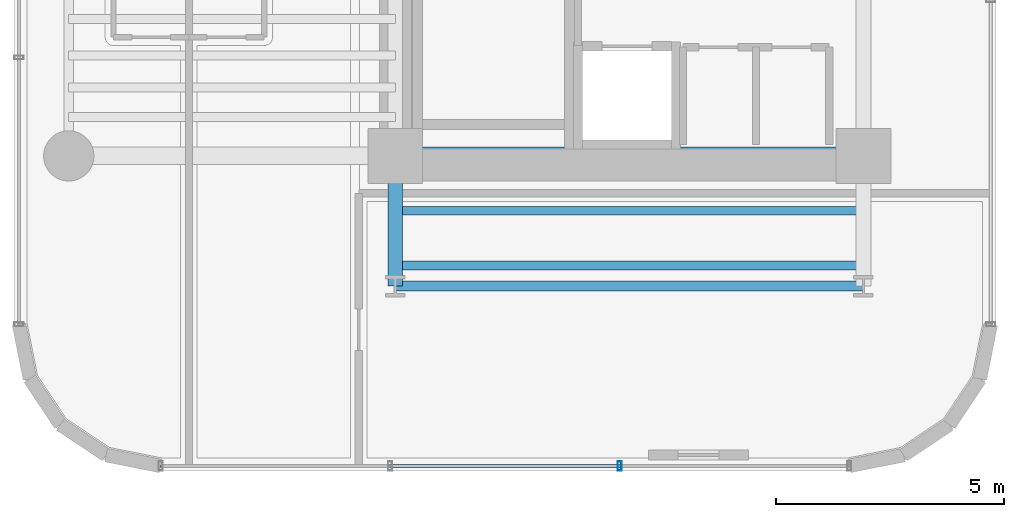
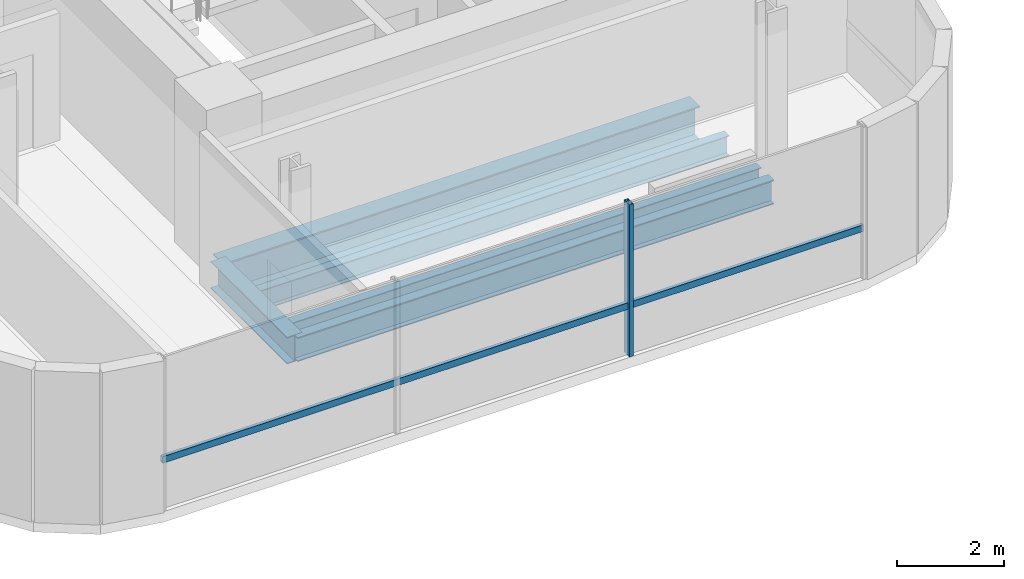
# One storey, part 3 of 35: 5 beams, 2 members, 1 element without a shape of its own.
"""IFC4 building model written with IfcOpenShell, lengths in metres."""

from ifc_helpers import new_model, si_unit, direction, frame, origin, origin_2d, place, context, subcontext, project, spatial, hollow_rectangle, i_section, extrude, source, transform, mapped, material, material_profile, profile_set, type_object, element, aggregate, save


model = new_model("IFC4")

# Units and contexts
model_context = context("Model", 3, precision=1e-05, world=origin(), true_north=direction((0.0, 1.0)))
body_context = subcontext(model_context, "Body", "Model", "MODEL_VIEW")
ifc_project = project(units=[si_unit("LENGTHUNIT", "METRE"), si_unit("AREAUNIT", "SQUARE_METRE"), si_unit("VOLUMEUNIT", "CUBIC_METRE"), si_unit("PLANEANGLEUNIT", "RADIAN"), si_unit("MASSUNIT", "GRAM", prefix="KILO")], contexts=[model_context])

# Site, building, storey
site_placement = place(None, origin())
site = spatial("IfcSite", under=ifc_project, at=site_placement, CompositionType="ELEMENT")
building_placement = place(site_placement, origin())
building = spatial("IfcBuilding", under=site, at=building_placement, Name="Valdorenza Pilgrim Sanctuary Tower", CompositionType="ELEMENT")
storey_placement = place(building_placement, frame((0.0, 0.0, 139.0)))
storey = spatial("IfcBuildingStorey", under=building, at=storey_placement, Name="L35", CompositionType="ELEMENT", Elevation=139.0)

# Beams
ifc_material_1 = material(Name="Steel ASTM A992 Grade 50", Category="steel")
ifc_material_profile_1 = material_profile(ifc_material_1, i_section(OverallWidth=0.214111328125, OverallDepth=0.549072265625, WebThickness=0.0146484375, FlangeThickness=0.023681640625, at=origin_2d()), Name="W21X93")
ifc_profile_set_1 = profile_set([ifc_material_profile_1], Name="Steel ASTM A992 Grade 50")
beam_type_1 = type_object("IfcBeamType", Name="STR-BM-SPN-W21A", PredefinedType="SPANDREL", material=ifc_profile_set_1)
shared_shape_1 = source(origin(), body_context, "Body", "SweptSolid", [
    extrude(i_section(OverallWidth=0.214111328125, OverallDepth=0.549072265625, WebThickness=0.0146484375, FlangeThickness=0.023681640625, at=origin_2d()), origin(), (0.0, 0.0, 1.0), 10.25),
])
beam_1_placement = place(storey_placement, frame((-22.64990234375, -13.449951171875, -0.514404296875), z_axis=(1.0, 0.0, 0.0), x_axis=(0.0, 1.0, 0.0)))
element("IfcBeam", 1, at=beam_1_placement, inside=storey, type_object=beam_type_1, Name="L35 South Spandrel WA-S-TIE", PredefinedType="SPANDREL", context=body_context, shape_type="MappedRepresentation", body=[
    mapped(shared_shape_1, transform((0.0, 0.0, 0.0), x_axis=(1.0, 0.0, 0.0), y_axis=(0.0, 1.0, 0.0), z_axis=(0.0, 0.0, 1.0), scale=1.0)),
])
ifc_material_profile_2 = material_profile(ifc_material_1, i_section(OverallWidth=0.323974609375, OverallDepth=0.611083984375, WebThickness=0.0126953125, FlangeThickness=0.01904296875, at=origin_2d()), Name="W24X104")
ifc_profile_set_2 = profile_set([ifc_material_profile_2], Name="Steel ASTM A992 Grade 50")
beam_type_2 = type_object("IfcBeamType", Name="STR-BM-GRD-W24B", PredefinedType="BEAM", material=ifc_profile_set_2)
shared_shape_2 = source(origin(), body_context, "Body", "SweptSolid", [
    extrude(i_section(OverallWidth=0.323974609375, OverallDepth=0.611083984375, WebThickness=0.0126953125, FlangeThickness=0.01904296875, at=origin_2d()), origin(), (0.0, 0.0, 1.0), 2.849853515625),
])
beam_2_placement = place(storey_placement, frame((-22.64990234375, -13.449951171875, -0.54541015625), z_axis=(0.0, 1.0, 0.0), x_axis=(-1.0, 0.0, 0.0)))
element("IfcBeam", 2, at=beam_2_placement, inside=storey, type_object=beam_type_2, Name="L35 Floor Girder WA-S-LW", PredefinedType="BEAM", context=body_context, shape_type="MappedRepresentation", body=[
    mapped(shared_shape_2, transform((0.0, 0.0, 0.0), x_axis=(1.0, 0.0, 0.0), y_axis=(0.0, 1.0, 0.0), z_axis=(0.0, 0.0, 1.0), scale=1.0)),
])
ifc_material_profile_3 = material_profile(ifc_material_1, i_section(OverallWidth=0.382080078125, OverallDepth=0.779052734375, WebThickness=0.01806640625, FlangeThickness=0.030029296875, at=origin_2d()), Name="W30X191")
ifc_profile_set_3 = profile_set([ifc_material_profile_3], Name="Steel ASTM A992 Grade 50")
beam_type_3 = type_object("IfcBeamType", Name="STR-BM-GRD-W30", PredefinedType="BEAM", material=ifc_profile_set_3)
shared_shape_3 = source(origin(), body_context, "Body", "SweptSolid", [
    extrude(i_section(OverallWidth=0.382080078125, OverallDepth=0.779052734375, WebThickness=0.01806640625, FlangeThickness=0.030029296875, at=origin_2d()), origin(), (0.0, 0.0, 1.0), 10.25),
])
beam_3_placement = place(storey_placement, frame((-22.64990234375, -10.60009765625, -0.62939453125), z_axis=(1.0, 0.0, 0.0), x_axis=(0.0, 1.0, 0.0)))
element("IfcBeam", 3, at=beam_3_placement, inside=storey, type_object=beam_type_3, Name="L35 Floor Girder CA-XC-S1", PredefinedType="BEAM", context=body_context, shape_type="MappedRepresentation", body=[
    mapped(shared_shape_3, transform((0.0, 0.0, 0.0), x_axis=(1.0, 0.0, 0.0), y_axis=(0.0, 1.0, 0.0), z_axis=(0.0, 0.0, 1.0), scale=1.0)),
])
ifc_material_profile_4 = material_profile(ifc_material_1, i_section(OverallWidth=0.19091796875, OverallDepth=0.45703125, WebThickness=0.009033203125, FlangeThickness=0.014404296875, at=origin_2d()), Name="W18X50")
ifc_profile_set_4 = profile_set([ifc_material_profile_4], Name="Steel ASTM A992 Grade 50")
beam_type_4 = type_object("IfcBeamType", Name="STR-BM-JST-W18B", PredefinedType="JOIST", material=ifc_profile_set_4)
shared_shape_4 = source(origin(), body_context, "Body", "SweptSolid", [
    extrude(i_section(OverallWidth=0.19091796875, OverallDepth=0.45703125, WebThickness=0.009033203125, FlangeThickness=0.014404296875, at=origin_2d()), origin(), (0.0, 0.0, 1.0), 10.25),
])
for number, where, z_axis, x_axis, name in (
    (4, (-22.64990234375, -13.0, -0.468505859375), (1.0, 0.0, 0.0), (0.0, 1.0, 0.0), "L35 Composite Floor Joist JST-WAS-1"),
    (5, (-22.64990234375, -11.800048828125, -0.468505859375), (1.0, 0.0, 0.0), (0.0, 1.0, 0.0), "L35 Composite Floor Joist JST-WAS-2"),
):
    element("IfcBeam", number, at=place(storey_placement, frame(where, z_axis=z_axis, x_axis=x_axis)), inside=storey, type_object=beam_type_4, Name=name, PredefinedType="JOIST", context=body_context, shape_type="MappedRepresentation", body=[
        mapped(shared_shape_4, transform((0.0, 0.0, 0.0), x_axis=(1.0, 0.0, 0.0), y_axis=(0.0, 1.0, 0.0), z_axis=(0.0, 0.0, 1.0), scale=1.0)),
    ])

# Curtain wall, members
ifc_material_2 = material(Name="Curtain-wall IGU glazing", Category="glass")
curtain_wall_type = type_object("IfcCurtainWallType", Name="CW-SYS-02", PredefinedType="NOTDEFINED", material=ifc_material_2)
curtain_wall_placement = place(storey_placement, origin())
curtain_wall = element("IfcCurtainWall", 6, at=curtain_wall_placement, inside=storey, type_object=curtain_wall_type, Name="L35 Curtain Wall CW-L35-1-46", PredefinedType="NOTDEFINED")
ifc_material_3 = material(Name="Anodised aluminium AW-6060", Category="aluminium")
ifc_material_profile_5 = material_profile(ifc_material_3, hollow_rectangle(XDim=0.0849609375, YDim=0.199951171875, WallThickness=0.0048828125, at=origin_2d()), Name="ALU-M 200x85x5")
ifc_profile_set_5 = profile_set([ifc_material_profile_5], Name="Anodised aluminium AW-6060")
member_type_1 = type_object("IfcMemberType", Name="CW-MUL-02", PredefinedType="MULLION", material=ifc_profile_set_5)
shared_shape_5 = source(origin(), body_context, "Body", "SweptSolid", [
    extrude(hollow_rectangle(XDim=0.0849609375, YDim=0.199951171875, WallThickness=0.0048828125, at=origin_2d()), origin(), (0.0, 0.0, 1.0), 3.4599609375),
])
member_1_placement = place(storey_placement, frame((-17.73681640625, -17.389892578125, 0.0), z_axis=(0.0, 0.0, 1.0), x_axis=(-1.0, 0.0, 0.0)))
member_1 = element("IfcMember", 7, at=member_1_placement, type_object=member_type_1, Name="CW-L35-1-46 Mullion 2", PredefinedType="MULLION", context=body_context, shape_type="MappedRepresentation", body=[
    mapped(shared_shape_5, transform((0.0, 0.0, 0.0), x_axis=(1.0, 0.0, 0.0), y_axis=(0.0, 1.0, 0.0), z_axis=(0.0, 0.0, 1.0), scale=1.0)),
])
ifc_material_profile_6 = material_profile(ifc_material_3, hollow_rectangle(XDim=0.074951171875, YDim=0.14990234375, WallThickness=0.00390625, at=origin_2d()), Name="ALU-T 150x75x4")
ifc_profile_set_6 = profile_set([ifc_material_profile_6], Name="Anodised aluminium AW-6060")
member_type_2 = type_object("IfcMemberType", Name="CW-TRN-02", PredefinedType="USERDEFINED", material=ifc_profile_set_6)
shared_shape_6 = source(origin(), body_context, "Body", "SweptSolid", [
    extrude(hollow_rectangle(XDim=0.074951171875, YDim=0.14990234375, WallThickness=0.00390625, at=origin_2d()), origin(), (0.0, 0.0, 1.0), 15.07861328125),
])
member_2_placement = place(storey_placement, frame((-12.710693359375, -17.389892578125, 1.1201171875), z_axis=(-1.0, 0.0, 0.0), x_axis=(0.0, -1.0, 0.0)))
member_2 = element("IfcMember", 8, at=member_2_placement, type_object=member_type_2, Name="CW-L35-1-46 Transom 1", ObjectType="TRANSOM", PredefinedType="USERDEFINED", context=body_context, shape_type="MappedRepresentation", body=[
    mapped(shared_shape_6, transform((0.0, 0.0, 0.0), x_axis=(1.0, 0.0, 0.0), y_axis=(0.0, 1.0, 0.0), z_axis=(0.0, 0.0, 1.0), scale=1.0)),
])
aggregate(curtain_wall, [member_1, member_2])

save(model, "model.ifc")
